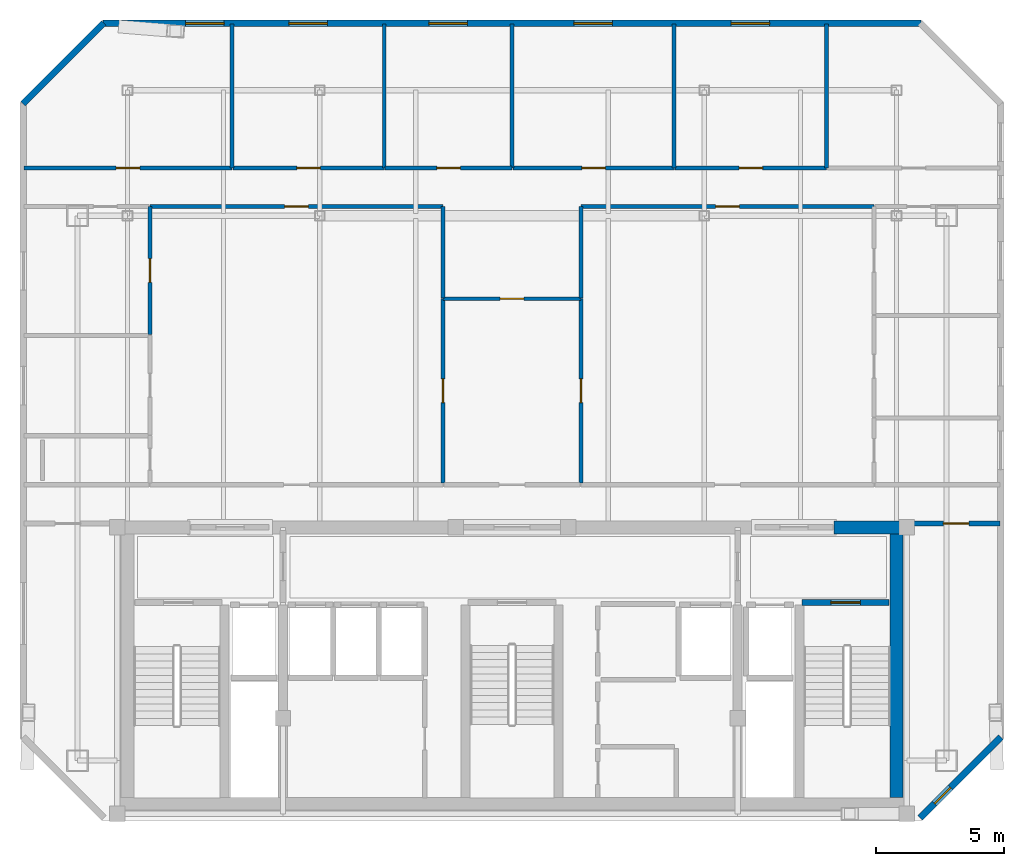
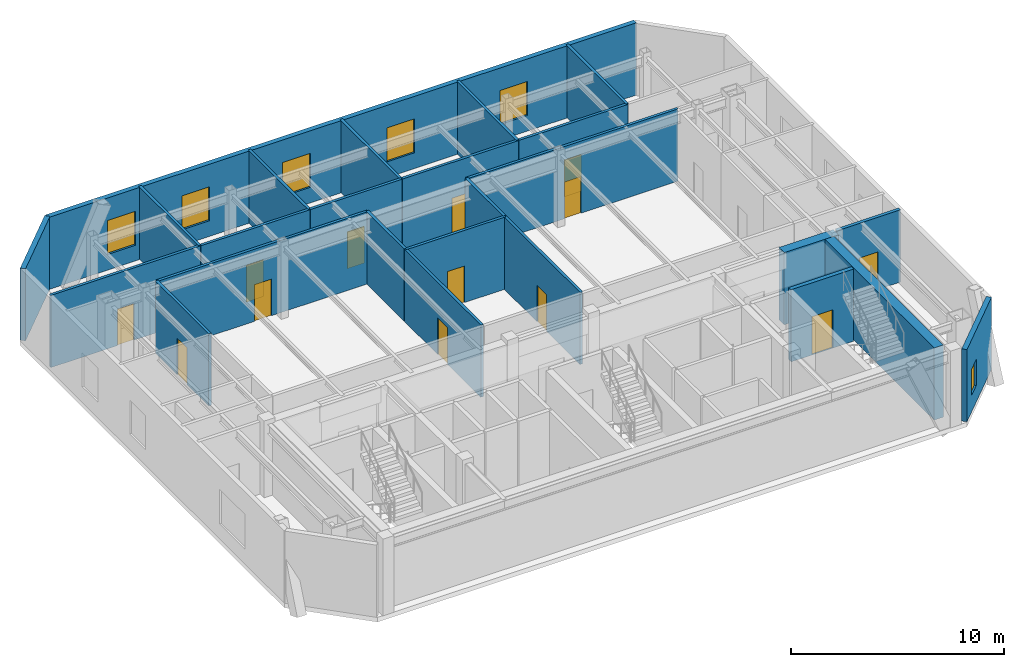
# One storey, part 4 of 6: 25 walls, 13 doors, 6 windows, 19 openings.
"""IFC4 building model written with IfcOpenShell, lengths in metres."""

from ifc_helpers import new_model, si_unit, direction, frame, frame_2d, origin, place, context, subcontext, project, spatial, rectangle, extrude, material, layer, layer_set, type_object, element, fill, save


model = new_model("IFC4")

# Units and contexts
model_context = context("Model", 3, precision=1e-05, world=origin(), true_north=direction((0.0, 1.0)))
body_context = subcontext(model_context, "Body", "Model", "MODEL_VIEW")
ifc_project = project(units=[si_unit("LENGTHUNIT", "METRE"), si_unit("AREAUNIT", "SQUARE_METRE"), si_unit("VOLUMEUNIT", "CUBIC_METRE"), si_unit("PLANEANGLEUNIT", "RADIAN"), si_unit("MASSUNIT", "GRAM", prefix="KILO")], contexts=[model_context])

# Site, building, storey
site_placement = place(None, origin())
site = spatial("IfcSite", under=ifc_project, at=site_placement, CompositionType="ELEMENT")
building_placement = place(site_placement, origin())
building = spatial("IfcBuilding", under=site, at=building_placement, Name="Ventersveld Concourse Tower", CompositionType="ELEMENT")
storey_placement = place(building_placement, frame((0.0, 0.0, 349.050048828125)))
storey = spatial("IfcBuildingStorey", under=building, at=storey_placement, Name="L86", CompositionType="ELEMENT", Elevation=349.050048828125)

# Walls
ifc_material_1 = material(Name="Concrete C50/60", Category="concrete")
ifc_layer_1 = layer(ifc_material_1, 0.5)
ifc_layer_set_1 = layer_set([ifc_layer_1], Name="Concrete C50/60")
wall_type_1 = type_object("IfcWallType", Name="WL-CORE-500", PredefinedType="SHEAR", material=ifc_layer_set_1)
wall_1_placement = place(storey_placement, frame((43.75, 0.919921875, 0.0), z_axis=(0.0, 0.0, 1.0), x_axis=(0.0, 1.0, 0.0)))
element("IfcWall", 1, at=wall_1_placement, inside=storey, type_object=wall_type_1, Name="L86 Rear Core East Shear Wall", PredefinedType="SHEAR", context=body_context, shape_type="SweptSolid", body=[
    extrude(rectangle(XDim=10.530029296875, YDim=0.5, at=frame_2d((5.26513671875, 0.0))), origin(), (0.0, 0.0, 1.0), 4.139892578125),
])
wall_2_placement = place(storey_placement, frame((41.300048828125, 11.449951171875, 0.0), z_axis=(0.0, 0.0, 1.0), x_axis=(1.0, 0.0, 0.0)))
element("IfcWall", 2, at=wall_2_placement, inside=storey, type_object=wall_type_1, Name="L86 Rear Core North Shear Wall NE", PredefinedType="SHEAR", context=body_context, shape_type="SweptSolid", body=[
    extrude(rectangle(XDim=2.949951171875, YDim=0.5, at=frame_2d((1.47509765625, 0.0))), origin(), (0.0, 0.0, 1.0), 4.139892578125),
])

# Wall, opening, door
ifc_material_2 = material(Name="Fire-rated autoclaved aerated masonry blockwork", Category="masonry")
ifc_layer_2 = layer(ifc_material_2, 0.179931640625)
ifc_layer_set_2 = layer_set([ifc_layer_2], Name="Fire-rated autoclaved aerated masonry blockwork")
wall_type_2 = type_object("IfcWallType", Name="WL-CORR-180", PredefinedType="PARTITIONING", material=ifc_layer_set_2)
wall_3_placement = place(storey_placement, frame((44.35498046875, 11.60009765625, 0.0), z_axis=(0.0, 0.0, 1.0), x_axis=(1.0, 0.0, 0.0)))
wall_3 = element("IfcWall", 3, at=wall_3_placement, inside=storey, type_object=wall_type_2, Name="L86 Interior Partition SP-L86-SE-OFF-SP-L86-COR", PredefinedType="PARTITIONING", context=body_context, shape_type="SweptSolid", body=[
    extrude(rectangle(XDim=3.433837890625, YDim=0.179931640625, at=frame_2d((1.716796875, 0.0))), origin(), (0.0, 0.0, 1.0), 4.139892578125),
])
opening_1_placement = place(wall_3_placement, frame((1.216796875, 0.0, 0.0)))
opening_1 = element("IfcOpeningElement", 4, at=opening_1_placement, cuts=wall_3, Name="Opening FD3", PredefinedType="OPENING", context=body_context, shape_type="SweptSolid", body=[
    extrude(rectangle(XDim=1.0, YDim=2.14990234375, at=frame_2d((0.5, 1.074951171875))), frame((0.0, 0.10009765625, 0.0), z_axis=(0.0, -1.0, 0.0), x_axis=(1.0, 0.0, 0.0)), (0.0, 0.0, 1.0), 0.199951171875),
])
ifc_material_3 = material(Name="Solid-core hardwood veneer timber", Category="wood")
door_type_1 = type_object("IfcDoorType", Name="DR-FLAT-100", OperationType="NOTDEFINED", PredefinedType="DOOR", material=ifc_material_3)
door_1_placement = place(opening_1_placement, origin())
door_1 = element("IfcDoor", 5, at=door_1_placement, inside=storey, type_object=door_type_1, Name="L86 Interior Door SP-L86-SE-OFF to SP-L86-COR (D-L86-3841)", OperationType="SINGLE_SWING_LEFT", OverallHeight=2.14990234375, OverallWidth=1.0, PredefinedType="DOOR", context=body_context, shape_type="SweptSolid", body=[
    extrude(rectangle(XDim=1.0, YDim=2.14990234375, at=frame_2d((0.5, 1.074951171875))), frame((0.0, 0.02490234375, 0.0), z_axis=(0.0, -1.0, 0.0), x_axis=(1.0, 0.0, 0.0)), (0.0, 0.0, 1.0), 0.050048828125),
])
fill(opening_1, door_1)

ifc_layer_3 = layer(ifc_material_2, 0.219970703125)
ifc_layer_set_3 = layer_set([ifc_layer_3], Name="Fire-rated autoclaved aerated masonry blockwork")
wall_type_3 = type_object("IfcWallType", Name="WL-HOIST-220", PredefinedType="SOLIDWALL", material=ifc_layer_set_3)
wall_4_placement = place(storey_placement, frame((40.06005859375, 8.52001953125, 0.0), z_axis=(0.0, 0.0, 1.0), x_axis=(1.0, 0.0, 0.0)))
wall_4 = element("IfcWall", 6, at=wall_4_placement, inside=storey, type_object=wall_type_3, Name="L86 Escape Stair ST02 Fire Wall", PredefinedType="SOLIDWALL", context=body_context, shape_type="SweptSolid", body=[
    extrude(rectangle(XDim=3.39990234375, YDim=0.219970703125, at=frame_2d((1.699951171875, 0.0))), origin(), (0.0, 0.0, 1.0), 4.139892578125),
])
opening_2_placement = place(wall_4_placement, frame((1.125, 0.0, 0.0)))
opening_2 = element("IfcOpeningElement", 7, at=opening_2_placement, cuts=wall_4, Name="Opening FD1", PredefinedType="OPENING", context=body_context, shape_type="SweptSolid", body=[
    extrude(rectangle(XDim=1.14990234375, YDim=2.199951171875, at=frame_2d((0.574951171875, 1.10009765625))), frame((0.0, 0.1201171875, 0.0), z_axis=(0.0, -1.0, 0.0), x_axis=(1.0, 0.0, 0.0)), (0.0, 0.0, 1.0), 0.239990234375),
])
ifc_material_4 = material(Name="Galvanised painted steel", Category="steel")
door_type_2 = type_object("IfcDoorType", Name="DR-STAIR-115", OperationType="NOTDEFINED", PredefinedType="DOOR", material=ifc_material_4)
door_2_placement = place(opening_2_placement, origin())
door_2 = element("IfcDoor", 8, at=door_2_placement, inside=storey, type_object=door_type_2, Name="L86 Escape Stair Door ST02 (SD-L86-3829)", OperationType="SINGLE_SWING_RIGHT", OverallHeight=2.199951171875, OverallWidth=1.14990234375, PredefinedType="DOOR", context=body_context, shape_type="SweptSolid", body=[
    extrude(rectangle(XDim=1.14990234375, YDim=2.199951171875, at=frame_2d((0.574951171875, 1.10009765625))), frame((0.0, 0.02490234375, 0.0), z_axis=(0.0, -1.0, 0.0), x_axis=(1.0, 0.0, 0.0)), (0.0, 0.0, 1.0), 0.050048828125),
])
fill(opening_2, door_2)

ifc_material_5 = material(Name="Autoclaved aerated masonry blockwork", Category="masonry")
ifc_layer_4 = layer(ifc_material_5, 0.14990234375)
ifc_layer_set_4 = layer_set([ifc_layer_4], Name="Autoclaved aerated masonry blockwork")
wall_type_4 = type_object("IfcWallType", Name="WL-INT-150", PredefinedType="PARTITIONING", material=ifc_layer_set_4)
wall_5_placement = place(storey_placement, frame((26.06005859375, 13.18505859375, 0.0), z_axis=(0.0, 0.0, 1.0), x_axis=(0.0, 1.0, 0.0)))
wall_5 = element("IfcWall", 9, at=wall_5_placement, inside=storey, type_object=wall_type_4, Name="L86 Interior Partition SP-L86-86N1-WGAL1-SP-L86-86N1-FOY", PredefinedType="PARTITIONING", context=body_context, shape_type="SweptSolid", body=[
    extrude(rectangle(XDim=7.18505859375, YDim=0.14990234375, at=frame_2d((3.592529296875, 0.0))), origin(), (0.0, 0.0, 1.0), 4.139892578125),
])
opening_3_placement = place(wall_5_placement, frame((3.132568359375, 0.0, 0.0)))
opening_3 = element("IfcOpeningElement", 10, at=opening_3_placement, cuts=wall_5, Name="Opening ID1", PredefinedType="OPENING", context=body_context, shape_type="SweptSolid", body=[
    extrude(rectangle(XDim=0.919921875, YDim=2.10009765625, at=frame_2d((0.4599609375, 1.050048828125))), frame((0.0, 0.0849609375, 0.0), z_axis=(0.0, -1.0, 0.0), x_axis=(1.0, 0.0, 0.0)), (0.0, 0.0, 1.0), 0.169921875),
])
door_type_3 = type_object("IfcDoorType", Name="DR-ROOM-092", OperationType="NOTDEFINED", PredefinedType="DOOR", material=ifc_material_3)
door_3_placement = place(opening_3_placement, origin())
door_3 = element("IfcDoor", 11, at=door_3_placement, inside=storey, type_object=door_type_3, Name="L86 Interior Door SP-L86-86N1-WGAL1 to SP-L86-86N1-FOY (D-L86-3845)", OperationType="SINGLE_SWING_LEFT", OverallHeight=2.10009765625, OverallWidth=0.919921875, PredefinedType="DOOR", context=body_context, shape_type="SweptSolid", body=[
    extrude(rectangle(XDim=0.919921875, YDim=2.10009765625, at=frame_2d((0.4599609375, 1.050048828125))), frame((0.0, 0.02490234375, 0.0), z_axis=(0.0, -1.0, 0.0), x_axis=(1.0, 0.0, 0.0)), (0.0, 0.0, 1.0), 0.050048828125),
])
fill(opening_3, door_3)

wall_6_placement = place(storey_placement, frame((14.626708984375, 23.966796875, 0.0), z_axis=(0.0, 0.0, 1.0), x_axis=(1.0, 0.0, 0.0)))
wall_6 = element("IfcWall", 12, at=wall_6_placement, inside=storey, type_object=wall_type_4, Name="L86 Interior Partition SP-L86-86N1-WGAL1-SP-L86-86N1-LIV", PredefinedType="PARTITIONING", context=body_context, shape_type="SweptSolid", body=[
    extrude(rectangle(XDim=11.438232421875, YDim=0.14990234375, at=frame_2d((5.71923828125, 0.0))), origin(), (0.0, 0.0, 1.0), 4.139892578125),
])
opening_4_placement = place(wall_6_placement, frame((5.25927734375, 0.0, 0.0)))
opening_4 = element("IfcOpeningElement", 13, at=opening_4_placement, cuts=wall_6, Name="Opening ID1", PredefinedType="OPENING", context=body_context, shape_type="SweptSolid", body=[
    extrude(rectangle(XDim=0.919921875, YDim=2.10009765625, at=frame_2d((0.4599609375, 1.050048828125))), frame((0.0, 0.0849609375, 0.0), z_axis=(0.0, -1.0, 0.0), x_axis=(1.0, 0.0, 0.0)), (0.0, 0.0, 1.0), 0.169921875),
])
door_4_placement = place(opening_4_placement, origin())
door_4 = element("IfcDoor", 14, at=door_4_placement, inside=storey, type_object=door_type_3, Name="L86 Interior Door SP-L86-86N1-WGAL1 to SP-L86-86N1-LIV (D-L86-3846)", OperationType="SINGLE_SWING_RIGHT", OverallHeight=2.10009765625, OverallWidth=0.919921875, PredefinedType="DOOR", context=body_context, shape_type="SweptSolid", body=[
    extrude(rectangle(XDim=0.919921875, YDim=2.10009765625, at=frame_2d((0.4599609375, 1.050048828125))), frame((0.0, 0.02490234375, 0.0), z_axis=(0.0, -1.0, 0.0), x_axis=(1.0, 0.0, 0.0)), (0.0, 0.0, 1.0), 0.050048828125),
])
fill(opening_4, door_4)

# Wall
wall_7_placement = place(storey_placement, frame((26.06005859375, 20.39990234375, 0.0), z_axis=(0.0, 0.0, 1.0), x_axis=(0.0, 1.0, 0.0)))
element("IfcWall", 15, at=wall_7_placement, inside=storey, type_object=wall_type_4, Name="L86 Interior Partition SP-L86-86N1-WGAL1-SP-L86-86N1-LIV", PredefinedType="PARTITIONING", context=body_context, shape_type="SweptSolid", body=[
    extrude(rectangle(XDim=3.572021484375, YDim=0.14990234375, at=frame_2d((1.7861328125, 0.0))), origin(), (0.0, 0.0, 1.0), 4.139892578125),
])

# Wall, opening, door
wall_8_placement = place(storey_placement, frame((14.631591796875, 18.9619140625, 0.0), z_axis=(0.0, 0.0, 1.0), x_axis=(0.0, 1.0, 0.0)))
wall_8 = element("IfcWall", 16, at=wall_8_placement, inside=storey, type_object=wall_type_4, Name="L86 Interior Partition SP-L86-86N1-WGAL1-SP-L86-86N1-MEDL2", PredefinedType="PARTITIONING", context=body_context, shape_type="SweptSolid", body=[
    extrude(rectangle(XDim=5.010009765625, YDim=0.14990234375, at=frame_2d((2.5048828125, 0.0))), origin(), (0.0, 0.0, 1.0), 4.139892578125),
])
opening_5_placement = place(wall_8_placement, frame((2.044921875, 0.0, 0.0)))
opening_5 = element("IfcOpeningElement", 17, at=opening_5_placement, cuts=wall_8, Name="Opening ID1", PredefinedType="OPENING", context=body_context, shape_type="SweptSolid", body=[
    extrude(rectangle(XDim=0.919921875, YDim=2.10009765625, at=frame_2d((0.4599609375, 1.050048828125))), frame((0.0, 0.0849609375, 0.0), z_axis=(0.0, -1.0, 0.0), x_axis=(1.0, 0.0, 0.0)), (0.0, 0.0, 1.0), 0.169921875),
])
door_5_placement = place(opening_5_placement, origin())
door_5 = element("IfcDoor", 18, at=door_5_placement, inside=storey, type_object=door_type_3, Name="L86 Interior Door SP-L86-86N1-WGAL1 to SP-L86-86N1-MEDL2 (D-L86-3849)", OperationType="SINGLE_SWING_LEFT", OverallHeight=2.10009765625, OverallWidth=0.919921875, PredefinedType="DOOR", context=body_context, shape_type="SweptSolid", body=[
    extrude(rectangle(XDim=0.919921875, YDim=2.10009765625, at=frame_2d((0.4599609375, 1.050048828125))), frame((0.0, 0.02490234375, 0.0), z_axis=(0.0, -1.0, 0.0), x_axis=(1.0, 0.0, 0.0)), (0.0, 0.0, 1.0), 0.050048828125),
])
fill(opening_5, door_5)

wall_9_placement = place(storey_placement, frame((31.43994140625, 13.18505859375, 0.0), z_axis=(0.0, 0.0, 1.0), x_axis=(0.0, 1.0, 0.0)))
wall_9 = element("IfcWall", 19, at=wall_9_placement, inside=storey, type_object=wall_type_4, Name="L86 Interior Partition SP-L86-86N1-EGAL1-SP-L86-86N1-FOY", PredefinedType="PARTITIONING", context=body_context, shape_type="SweptSolid", body=[
    extrude(rectangle(XDim=7.18505859375, YDim=0.14990234375, at=frame_2d((3.592529296875, 0.0))), origin(), (0.0, 0.0, 1.0), 4.139892578125),
])
opening_6_placement = place(wall_9_placement, frame((3.132568359375, 0.0, 0.0)))
opening_6 = element("IfcOpeningElement", 20, at=opening_6_placement, cuts=wall_9, Name="Opening ID1", PredefinedType="OPENING", context=body_context, shape_type="SweptSolid", body=[
    extrude(rectangle(XDim=0.919921875, YDim=2.10009765625, at=frame_2d((0.4599609375, 1.050048828125))), frame((0.0, 0.0849609375, 0.0), z_axis=(0.0, -1.0, 0.0), x_axis=(1.0, 0.0, 0.0)), (0.0, 0.0, 1.0), 0.169921875),
])
door_6_placement = place(opening_6_placement, origin())
door_6 = element("IfcDoor", 21, at=door_6_placement, inside=storey, type_object=door_type_3, Name="L86 Interior Door SP-L86-86N1-EGAL1 to SP-L86-86N1-FOY (D-L86-3850)", OperationType="SINGLE_SWING_RIGHT", OverallHeight=2.10009765625, OverallWidth=0.919921875, PredefinedType="DOOR", context=body_context, shape_type="SweptSolid", body=[
    extrude(rectangle(XDim=0.919921875, YDim=2.10009765625, at=frame_2d((0.4599609375, 1.050048828125))), frame((0.0, 0.02490234375, 0.0), z_axis=(0.0, -1.0, 0.0), x_axis=(1.0, 0.0, 0.0)), (0.0, 0.0, 1.0), 0.050048828125),
])
fill(opening_6, door_6)

wall_10_placement = place(storey_placement, frame((31.43505859375, 23.966796875, 0.0), z_axis=(0.0, 0.0, 1.0), x_axis=(1.0, 0.0, 0.0)))
wall_10 = element("IfcWall", 22, at=wall_10_placement, inside=storey, type_object=wall_type_4, Name="L86 Interior Partition SP-L86-86N1-EGAL1-SP-L86-86N1-LIV", PredefinedType="PARTITIONING", context=body_context, shape_type="SweptSolid", body=[
    extrude(rectangle(XDim=11.438232421875, YDim=0.14990234375, at=frame_2d((5.71923828125, 0.0))), origin(), (0.0, 0.0, 1.0), 4.139892578125),
])
opening_7_placement = place(wall_10_placement, frame((5.25927734375, 0.0, 0.0)))
opening_7 = element("IfcOpeningElement", 23, at=opening_7_placement, cuts=wall_10, Name="Opening ID1", PredefinedType="OPENING", context=body_context, shape_type="SweptSolid", body=[
    extrude(rectangle(XDim=0.919921875, YDim=2.10009765625, at=frame_2d((0.4599609375, 1.050048828125))), frame((0.0, 0.0849609375, 0.0), z_axis=(0.0, -1.0, 0.0), x_axis=(1.0, 0.0, 0.0)), (0.0, 0.0, 1.0), 0.169921875),
])
door_7_placement = place(opening_7_placement, origin())
door_7 = element("IfcDoor", 24, at=door_7_placement, inside=storey, type_object=door_type_3, Name="L86 Interior Door SP-L86-86N1-EGAL1 to SP-L86-86N1-LIV (D-L86-3851)", OperationType="SINGLE_SWING_LEFT", OverallHeight=2.10009765625, OverallWidth=0.919921875, PredefinedType="DOOR", context=body_context, shape_type="SweptSolid", body=[
    extrude(rectangle(XDim=0.919921875, YDim=2.10009765625, at=frame_2d((0.4599609375, 1.050048828125))), frame((0.0, 0.02490234375, 0.0), z_axis=(0.0, -1.0, 0.0), x_axis=(1.0, 0.0, 0.0)), (0.0, 0.0, 1.0), 0.050048828125),
])
fill(opening_7, door_7)

# Wall
wall_11_placement = place(storey_placement, frame((31.43994140625, 20.39990234375, 0.0), z_axis=(0.0, 0.0, 1.0), x_axis=(0.0, 1.0, 0.0)))
element("IfcWall", 25, at=wall_11_placement, inside=storey, type_object=wall_type_4, Name="L86 Interior Partition SP-L86-86N1-EGAL1-SP-L86-86N1-LIV", PredefinedType="PARTITIONING", context=body_context, shape_type="SweptSolid", body=[
    extrude(rectangle(XDim=3.572021484375, YDim=0.14990234375, at=frame_2d((1.7861328125, 0.0))), origin(), (0.0, 0.0, 1.0), 4.139892578125),
])

# Wall, opening, door
wall_12_placement = place(storey_placement, frame((26.054931640625, 20.364990234375, 0.0), z_axis=(0.0, 0.0, 1.0), x_axis=(1.0, 0.0, 0.0)))
wall_12 = element("IfcWall", 26, at=wall_12_placement, inside=storey, type_object=wall_type_4, Name="L86 Interior Partition SP-L86-86N1-FOY-SP-L86-86N1-LIV", PredefinedType="PARTITIONING", context=body_context, shape_type="SweptSolid", body=[
    extrude(rectangle(XDim=5.39013671875, YDim=0.14990234375, at=frame_2d((2.695068359375, 0.0))), origin(), (0.0, 0.0, 1.0), 4.139892578125),
])
opening_8_placement = place(wall_12_placement, frame((2.235107421875, 0.0, 0.0)))
opening_8 = element("IfcOpeningElement", 27, at=opening_8_placement, cuts=wall_12, Name="Opening ID1", PredefinedType="OPENING", context=body_context, shape_type="SweptSolid", body=[
    extrude(rectangle(XDim=0.919921875, YDim=2.10009765625, at=frame_2d((0.4599609375, 1.050048828125))), frame((0.0, 0.0849609375, 0.0), z_axis=(0.0, -1.0, 0.0), x_axis=(1.0, 0.0, 0.0)), (0.0, 0.0, 1.0), 0.169921875),
])
door_8_placement = place(opening_8_placement, origin())
door_8 = element("IfcDoor", 28, at=door_8_placement, inside=storey, type_object=door_type_3, Name="L86 Interior Door SP-L86-86N1-FOY to SP-L86-86N1-LIV (D-L86-3855)", OperationType="SINGLE_SWING_LEFT", OverallHeight=2.10009765625, OverallWidth=0.919921875, PredefinedType="DOOR", context=body_context, shape_type="SweptSolid", body=[
    extrude(rectangle(XDim=0.919921875, YDim=2.10009765625, at=frame_2d((0.4599609375, 1.050048828125))), frame((0.0, 0.02490234375, 0.0), z_axis=(0.0, -1.0, 0.0), x_axis=(1.0, 0.0, 0.0)), (0.0, 0.0, 1.0), 0.050048828125),
])
fill(opening_8, door_8)

wall_13_placement = place(storey_placement, frame((9.711181640625, 25.466796875, 0.0), z_axis=(0.0, 0.0, 1.0), x_axis=(1.0, 0.0, 0.0)))
wall_13 = element("IfcWall", 29, at=wall_13_placement, inside=storey, type_object=wall_type_4, Name="L86 Interior Partition SP-L86-86N1-LIV-SP-L86-86N1-BR1", PredefinedType="PARTITIONING", context=body_context, shape_type="SweptSolid", body=[
    extrude(rectangle(XDim=8.122314453125, YDim=0.14990234375, at=frame_2d((4.06103515625, 0.0))), origin(), (0.0, 0.0, 1.0), 4.139892578125),
])
opening_9_placement = place(wall_13_placement, frame((3.601318359375, 0.0, 0.0)))
opening_9 = element("IfcOpeningElement", 30, at=opening_9_placement, cuts=wall_13, Name="Opening ID1", PredefinedType="OPENING", context=body_context, shape_type="SweptSolid", body=[
    extrude(rectangle(XDim=0.919921875, YDim=2.10009765625, at=frame_2d((0.4599609375, 1.050048828125))), frame((0.0, 0.0849609375, 0.0), z_axis=(0.0, -1.0, 0.0), x_axis=(1.0, 0.0, 0.0)), (0.0, 0.0, 1.0), 0.169921875),
])
door_9_placement = place(opening_9_placement, origin())
door_9 = element("IfcDoor", 31, at=door_9_placement, inside=storey, type_object=door_type_3, Name="L86 Interior Door SP-L86-86N1-LIV to SP-L86-86N1-BR1 (D-L86-3858)", OperationType="SINGLE_SWING_RIGHT", OverallHeight=2.10009765625, OverallWidth=0.919921875, PredefinedType="DOOR", context=body_context, shape_type="SweptSolid", body=[
    extrude(rectangle(XDim=0.919921875, YDim=2.10009765625, at=frame_2d((0.4599609375, 1.050048828125))), frame((0.0, 0.02490234375, 0.0), z_axis=(0.0, -1.0, 0.0), x_axis=(1.0, 0.0, 0.0)), (0.0, 0.0, 1.0), 0.050048828125),
])
fill(opening_9, door_9)

wall_14_placement = place(storey_placement, frame((17.863525390625, 25.466796875, 0.0), z_axis=(0.0, 0.0, 1.0), x_axis=(1.0, 0.0, 0.0)))
wall_14 = element("IfcWall", 32, at=wall_14_placement, inside=storey, type_object=wall_type_4, Name="L86 Interior Partition SP-L86-86N1-LIV-SP-L86-86N1-BR2", PredefinedType="PARTITIONING", context=body_context, shape_type="SweptSolid", body=[
    extrude(rectangle(XDim=5.910888671875, YDim=0.14990234375, at=frame_2d((2.95556640625, 0.0))), origin(), (0.0, 0.0, 1.0), 4.139892578125),
])
opening_10_placement = place(wall_14_placement, frame((2.495361328125, 0.0, 0.0)))
opening_10 = element("IfcOpeningElement", 33, at=opening_10_placement, cuts=wall_14, Name="Opening ID1", PredefinedType="OPENING", context=body_context, shape_type="SweptSolid", body=[
    extrude(rectangle(XDim=0.919921875, YDim=2.10009765625, at=frame_2d((0.4599609375, 1.050048828125))), frame((0.0, 0.0849609375, 0.0), z_axis=(0.0, -1.0, 0.0), x_axis=(1.0, 0.0, 0.0)), (0.0, 0.0, 1.0), 0.169921875),
])
door_10_placement = place(opening_10_placement, origin())
door_10 = element("IfcDoor", 34, at=door_10_placement, inside=storey, type_object=door_type_3, Name="L86 Interior Door SP-L86-86N1-LIV to SP-L86-86N1-BR2 (D-L86-3859)", OperationType="SINGLE_SWING_LEFT", OverallHeight=2.10009765625, OverallWidth=0.919921875, PredefinedType="DOOR", context=body_context, shape_type="SweptSolid", body=[
    extrude(rectangle(XDim=0.919921875, YDim=2.10009765625, at=frame_2d((0.4599609375, 1.050048828125))), frame((0.0, 0.02490234375, 0.0), z_axis=(0.0, -1.0, 0.0), x_axis=(1.0, 0.0, 0.0)), (0.0, 0.0, 1.0), 0.050048828125),
])
fill(opening_10, door_10)

wall_15_placement = place(storey_placement, frame((23.80419921875, 25.466796875, 0.0), z_axis=(0.0, 0.0, 1.0), x_axis=(1.0, 0.0, 0.0)))
wall_15 = element("IfcWall", 35, at=wall_15_placement, inside=storey, type_object=wall_type_4, Name="L86 Interior Partition SP-L86-86N1-LIV-SP-L86-86N1-BR3", PredefinedType="PARTITIONING", context=body_context, shape_type="SweptSolid", body=[
    extrude(rectangle(XDim=4.95068359375, YDim=0.14990234375, at=frame_2d((2.475341796875, 0.0))), origin(), (0.0, 0.0, 1.0), 4.139892578125),
])
opening_11_placement = place(wall_15_placement, frame((2.015380859375, 0.0, 0.0)))
opening_11 = element("IfcOpeningElement", 36, at=opening_11_placement, cuts=wall_15, Name="Opening ID1", PredefinedType="OPENING", context=body_context, shape_type="SweptSolid", body=[
    extrude(rectangle(XDim=0.919921875, YDim=2.10009765625, at=frame_2d((0.4599609375, 1.050048828125))), frame((0.0, 0.0849609375, 0.0), z_axis=(0.0, -1.0, 0.0), x_axis=(1.0, 0.0, 0.0)), (0.0, 0.0, 1.0), 0.169921875),
])
door_11_placement = place(opening_11_placement, origin())
door_11 = element("IfcDoor", 37, at=door_11_placement, inside=storey, type_object=door_type_3, Name="L86 Interior Door SP-L86-86N1-LIV to SP-L86-86N1-BR3 (D-L86-3860)", OperationType="SINGLE_SWING_RIGHT", OverallHeight=2.10009765625, OverallWidth=0.919921875, PredefinedType="DOOR", context=body_context, shape_type="SweptSolid", body=[
    extrude(rectangle(XDim=0.919921875, YDim=2.10009765625, at=frame_2d((0.4599609375, 1.050048828125))), frame((0.0, 0.02490234375, 0.0), z_axis=(0.0, -1.0, 0.0), x_axis=(1.0, 0.0, 0.0)), (0.0, 0.0, 1.0), 0.050048828125),
])
fill(opening_11, door_11)

wall_16_placement = place(storey_placement, frame((28.784912109375, 25.466796875, 0.0), z_axis=(0.0, 0.0, 1.0), x_axis=(1.0, 0.0, 0.0)))
wall_16 = element("IfcWall", 38, at=wall_16_placement, inside=storey, type_object=wall_type_4, Name="L86 Interior Partition SP-L86-86N1-LIV-SP-L86-86N1-BR4", PredefinedType="PARTITIONING", context=body_context, shape_type="SweptSolid", body=[
    extrude(rectangle(XDim=6.294921875, YDim=0.14990234375, at=frame_2d((3.1474609375, 0.0))), origin(), (0.0, 0.0, 1.0), 4.139892578125),
])
opening_12_placement = place(wall_16_placement, frame((2.6875, 0.0, 0.0)))
opening_12 = element("IfcOpeningElement", 39, at=opening_12_placement, cuts=wall_16, Name="Opening ID1", PredefinedType="OPENING", context=body_context, shape_type="SweptSolid", body=[
    extrude(rectangle(XDim=0.919921875, YDim=2.10009765625, at=frame_2d((0.4599609375, 1.050048828125))), frame((0.0, 0.0849609375, 0.0), z_axis=(0.0, -1.0, 0.0), x_axis=(1.0, 0.0, 0.0)), (0.0, 0.0, 1.0), 0.169921875),
])
door_12_placement = place(opening_12_placement, origin())
door_12 = element("IfcDoor", 40, at=door_12_placement, inside=storey, type_object=door_type_3, Name="L86 Interior Door SP-L86-86N1-LIV to SP-L86-86N1-BR4 (D-L86-3861)", OperationType="SINGLE_SWING_LEFT", OverallHeight=2.10009765625, OverallWidth=0.919921875, PredefinedType="DOOR", context=body_context, shape_type="SweptSolid", body=[
    extrude(rectangle(XDim=0.919921875, YDim=2.10009765625, at=frame_2d((0.4599609375, 1.050048828125))), frame((0.0, 0.02490234375, 0.0), z_axis=(0.0, -1.0, 0.0), x_axis=(1.0, 0.0, 0.0)), (0.0, 0.0, 1.0), 0.050048828125),
])
fill(opening_12, door_12)

wall_17_placement = place(storey_placement, frame((35.10986328125, 25.466796875, 0.0), z_axis=(0.0, 0.0, 1.0), x_axis=(1.0, 0.0, 0.0)))
wall_17 = element("IfcWall", 41, at=wall_17_placement, inside=storey, type_object=wall_type_4, Name="L86 Interior Partition SP-L86-86N1-LIV-SP-L86-86N1-BR5", PredefinedType="PARTITIONING", context=body_context, shape_type="SweptSolid", body=[
    extrude(rectangle(XDim=5.91064453125, YDim=0.14990234375, at=frame_2d((2.955322265625, 0.0))), origin(), (0.0, 0.0, 1.0), 4.139892578125),
])
opening_13_placement = place(wall_17_placement, frame((2.495361328125, 0.0, 0.0)))
opening_13 = element("IfcOpeningElement", 42, at=opening_13_placement, cuts=wall_17, Name="Opening ID1", PredefinedType="OPENING", context=body_context, shape_type="SweptSolid", body=[
    extrude(rectangle(XDim=0.919921875, YDim=2.10009765625, at=frame_2d((0.4599609375, 1.050048828125))), frame((0.0, 0.0849609375, 0.0), z_axis=(0.0, -1.0, 0.0), x_axis=(1.0, 0.0, 0.0)), (0.0, 0.0, 1.0), 0.169921875),
])
door_13_placement = place(opening_13_placement, origin())
door_13 = element("IfcDoor", 43, at=door_13_placement, inside=storey, type_object=door_type_3, Name="L86 Interior Door SP-L86-86N1-LIV to SP-L86-86N1-BR5 (D-L86-3862)", OperationType="SINGLE_SWING_RIGHT", OverallHeight=2.10009765625, OverallWidth=0.919921875, PredefinedType="DOOR", context=body_context, shape_type="SweptSolid", body=[
    extrude(rectangle(XDim=0.919921875, YDim=2.10009765625, at=frame_2d((0.4599609375, 1.050048828125))), frame((0.0, 0.02490234375, 0.0), z_axis=(0.0, -1.0, 0.0), x_axis=(1.0, 0.0, 0.0)), (0.0, 0.0, 1.0), 0.050048828125),
])
fill(opening_13, door_13)

# Walls
for number, where, z_axis, x_axis, name in (
    (44, (17.82861328125, 25.4619140625, 0.0), (0.0, 0.0, 1.0), (0.0, 1.0, 0.0), "L86 Interior Partition SP-L86-86N1-BR1-SP-L86-86N1-BR2"),
    (45, (23.769287109375, 25.4619140625, 0.0), (0.0, 0.0, 1.0), (0.0, 1.0, 0.0), "L86 Interior Partition SP-L86-86N1-BR2-SP-L86-86N1-BR3"),
    (46, (28.75, 25.4619140625, 0.0), (0.0, 0.0, 1.0), (0.0, 1.0, 0.0), "L86 Interior Partition SP-L86-86N1-BR3-SP-L86-86N1-BR4"),
    (47, (35.07470703125, 25.4619140625, 0.0), (0.0, 0.0, 1.0), (0.0, 1.0, 0.0), "L86 Interior Partition SP-L86-86N1-BR4-SP-L86-86N1-BR5"),
    (48, (41.015380859375, 25.4619140625, 0.0), (0.0, 0.0, 1.0), (0.0, 1.0, 0.0), "L86 Interior Partition SP-L86-86N1-BR5-SP-L86-86N1-BR6"),
):
    element("IfcWall", number, at=place(storey_placement, frame(where, z_axis=z_axis, x_axis=x_axis)), inside=storey, type_object=wall_type_4, Name=name, PredefinedType="PARTITIONING", context=body_context, shape_type="SweptSolid", body=[
        extrude(rectangle(XDim=5.62548828125, YDim=0.14990234375, at=frame_2d((2.812744140625, 0.0))), origin(), (0.0, 0.0, 1.0), 4.139892578125),
    ])

# Wall, opening, window
ifc_material_6 = material(Name="Precast concrete C45/55", Category="concrete")
ifc_layer_5 = layer(ifc_material_6, 0.260009765625)
ifc_layer_set_5 = layer_set([ifc_layer_5], Name="Precast concrete C45/55")
wall_type_5 = type_object("IfcWallType", Name="WL-PREC-260", PredefinedType="SOLIDWALL", material=ifc_layer_set_5)
wall_18_placement = place(storey_placement, frame((44.6748046875, 0.1201171875, 0.0), z_axis=(0.0, 0.0, 1.0), x_axis=(0.707079321262, 0.707134240044, 0.0)))
wall_18 = element("IfcWall", 49, at=wall_18_placement, inside=storey, type_object=wall_type_5, Name="L86 Highveld Precast Facade Wall E02", PredefinedType="SOLIDWALL", context=body_context, shape_type="SweptSolid", body=[
    extrude(rectangle(XDim=4.445556640625, YDim=0.260009765625, at=frame_2d((2.22265625, 0.0))), origin(), (0.0, 0.0, 1.0), 4.139892578125),
])
opening_14_placement = place(wall_18_placement, frame((0.780029296875, 0.0, 0.949951171875)))
opening_14 = element("IfcOpeningElement", 50, at=opening_14_placement, cuts=wall_18, Name="Opening W4", PredefinedType="OPENING", context=body_context, shape_type="SweptSolid", body=[
    extrude(rectangle(XDim=0.89990234375, YDim=1.5, at=frame_2d((0.449951171875, 0.75))), frame((0.0, 0.14013671875, 0.0), z_axis=(0.0, -1.0, 0.0), x_axis=(1.0, 0.0, 0.0)), (0.0, 0.0, 1.0), 0.280029296875),
])
ifc_material_7 = material(Name="Tempered acoustic Low-E IGU", Category="glass")
window_type_1 = type_object("IfcWindowType", Name="WIN-090x150", PartitioningType="SINGLE_PANEL", PredefinedType="WINDOW", material=ifc_material_7)
window_1_placement = place(opening_14_placement, origin())
window_1 = element("IfcWindow", 51, at=window_1_placement, inside=storey, type_object=window_type_1, Name="L86 Punched Low-E Window W-1202", OverallHeight=1.5, OverallWidth=0.89990234375, PartitioningType="SINGLE_PANEL", PredefinedType="WINDOW", context=body_context, shape_type="SweptSolid", body=[
    extrude(rectangle(XDim=0.89990234375, YDim=1.5, at=frame_2d((0.449951171875, 0.75))), frame((0.0, 0.030029296875, 0.0), z_axis=(0.0, -1.0, 0.0), x_axis=(1.0, 0.0, 0.0)), (0.0, 0.0, 1.0), 0.06005859375),
])
fill(opening_14, window_1)

# Wall, openings, windows
wall_19_placement = place(storey_placement, frame((44.6982421875, 31.10693359375, 0.0), z_axis=(0.0, 0.0, 1.0), x_axis=(-1.0, 0.0, 0.0)))
wall_19 = element("IfcWall", 52, at=wall_19_placement, inside=storey, type_object=wall_type_5, Name="L86 Highveld Precast Facade Wall E05", PredefinedType="SOLIDWALL", context=body_context, shape_type="SweptSolid", body=[
    extrude(rectangle(XDim=31.896484375, YDim=0.260009765625, at=frame_2d((15.9482421875, 0.0))), origin(), (0.0, 0.0, 1.0), 4.139892578125),
])
opening_15_placement = place(wall_19_placement, frame((27.17919921875, 0.0, 0.89990234375)))
opening_15 = element("IfcOpeningElement", 53, at=opening_15_placement, cuts=wall_19, Name="Opening W1", PredefinedType="OPENING", context=body_context, shape_type="SweptSolid", body=[
    extrude(rectangle(XDim=1.5, YDim=1.949951171875, at=frame_2d((0.75, 0.97509765625))), frame((0.0, 0.14013671875, 0.0), z_axis=(0.0, -1.0, 0.0), x_axis=(1.0, 0.0, 0.0)), (0.0, 0.0, 1.0), 0.280029296875),
])
opening_16_placement = place(wall_19_placement, frame((23.1494140625, 0.0, 0.89990234375)))
opening_16 = element("IfcOpeningElement", 54, at=opening_16_placement, cuts=wall_19, Name="Opening W1", PredefinedType="OPENING", context=body_context, shape_type="SweptSolid", body=[
    extrude(rectangle(XDim=1.5, YDim=1.949951171875, at=frame_2d((0.75, 0.97509765625))), frame((0.0, 0.14013671875, 0.0), z_axis=(0.0, -1.0, 0.0), x_axis=(1.0, 0.0, 0.0)), (0.0, 0.0, 1.0), 0.280029296875),
])
opening_17_placement = place(wall_19_placement, frame((17.688720703125, 0.0, 0.89990234375)))
opening_17 = element("IfcOpeningElement", 55, at=opening_17_placement, cuts=wall_19, Name="Opening W1", PredefinedType="OPENING", context=body_context, shape_type="SweptSolid", body=[
    extrude(rectangle(XDim=1.5, YDim=1.949951171875, at=frame_2d((0.75, 0.97509765625))), frame((0.0, 0.14013671875, 0.0), z_axis=(0.0, -1.0, 0.0), x_axis=(1.0, 0.0, 0.0)), (0.0, 0.0, 1.0), 0.280029296875),
])
opening_18_placement = place(wall_19_placement, frame((12.035888671875, 0.0, 0.89990234375)))
opening_18 = element("IfcOpeningElement", 56, at=opening_18_placement, cuts=wall_19, Name="Opening W1", PredefinedType="OPENING", context=body_context, shape_type="SweptSolid", body=[
    extrude(rectangle(XDim=1.5, YDim=1.949951171875, at=frame_2d((0.75, 0.97509765625))), frame((0.0, 0.14013671875, 0.0), z_axis=(0.0, -1.0, 0.0), x_axis=(1.0, 0.0, 0.0)), (0.0, 0.0, 1.0), 0.280029296875),
])
opening_19_placement = place(wall_19_placement, frame((5.9033203125, 0.0, 0.89990234375)))
opening_19 = element("IfcOpeningElement", 57, at=opening_19_placement, cuts=wall_19, Name="Opening W1", PredefinedType="OPENING", context=body_context, shape_type="SweptSolid", body=[
    extrude(rectangle(XDim=1.5, YDim=1.949951171875, at=frame_2d((0.75, 0.97509765625))), frame((0.0, 0.14013671875, 0.0), z_axis=(0.0, -1.0, 0.0), x_axis=(1.0, 0.0, 0.0)), (0.0, 0.0, 1.0), 0.280029296875),
])
window_type_2 = type_object("IfcWindowType", Name="WIN-150x210", PartitioningType="SINGLE_PANEL", PredefinedType="WINDOW", material=ifc_material_7)
window_2_placement = place(opening_15_placement, origin())
window_2 = element("IfcWindow", 58, at=window_2_placement, inside=storey, type_object=window_type_2, Name="L86 Punched Low-E Window W-1209", OverallHeight=1.949951171875, OverallWidth=1.5, PartitioningType="SINGLE_PANEL", PredefinedType="WINDOW", context=body_context, shape_type="SweptSolid", body=[
    extrude(rectangle(XDim=1.5, YDim=1.949951171875, at=frame_2d((0.75, 0.97509765625))), frame((0.0, 0.030029296875, 0.0), z_axis=(0.0, -1.0, 0.0), x_axis=(1.0, 0.0, 0.0)), (0.0, 0.0, 1.0), 0.06005859375),
])
fill(opening_15, window_2)
window_3_placement = place(opening_16_placement, origin())
window_3 = element("IfcWindow", 59, at=window_3_placement, inside=storey, type_object=window_type_2, Name="L86 Punched Low-E Window W-1210", OverallHeight=1.949951171875, OverallWidth=1.5, PartitioningType="SINGLE_PANEL", PredefinedType="WINDOW", context=body_context, shape_type="SweptSolid", body=[
    extrude(rectangle(XDim=1.5, YDim=1.949951171875, at=frame_2d((0.75, 0.97509765625))), frame((0.0, 0.030029296875, 0.0), z_axis=(0.0, -1.0, 0.0), x_axis=(1.0, 0.0, 0.0)), (0.0, 0.0, 1.0), 0.06005859375),
])
fill(opening_16, window_3)
window_4_placement = place(opening_17_placement, origin())
window_4 = element("IfcWindow", 60, at=window_4_placement, inside=storey, type_object=window_type_2, Name="L86 Punched Low-E Window W-1211", OverallHeight=1.949951171875, OverallWidth=1.5, PartitioningType="SINGLE_PANEL", PredefinedType="WINDOW", context=body_context, shape_type="SweptSolid", body=[
    extrude(rectangle(XDim=1.5, YDim=1.949951171875, at=frame_2d((0.75, 0.97509765625))), frame((0.0, 0.030029296875, 0.0), z_axis=(0.0, -1.0, 0.0), x_axis=(1.0, 0.0, 0.0)), (0.0, 0.0, 1.0), 0.06005859375),
])
fill(opening_17, window_4)
window_5_placement = place(opening_18_placement, origin())
window_5 = element("IfcWindow", 61, at=window_5_placement, inside=storey, type_object=window_type_2, Name="L86 Punched Low-E Window W-1212", OverallHeight=1.949951171875, OverallWidth=1.5, PartitioningType="SINGLE_PANEL", PredefinedType="WINDOW", context=body_context, shape_type="SweptSolid", body=[
    extrude(rectangle(XDim=1.5, YDim=1.949951171875, at=frame_2d((0.75, 0.97509765625))), frame((0.0, 0.030029296875, 0.0), z_axis=(0.0, -1.0, 0.0), x_axis=(1.0, 0.0, 0.0)), (0.0, 0.0, 1.0), 0.06005859375),
])
fill(opening_18, window_5)
window_6_placement = place(opening_19_placement, origin())
window_6 = element("IfcWindow", 62, at=window_6_placement, inside=storey, type_object=window_type_2, Name="L86 Punched Low-E Window W-1213", OverallHeight=1.949951171875, OverallWidth=1.5, PartitioningType="SINGLE_PANEL", PredefinedType="WINDOW", context=body_context, shape_type="SweptSolid", body=[
    extrude(rectangle(XDim=1.5, YDim=1.949951171875, at=frame_2d((0.75, 0.97509765625))), frame((0.0, 0.030029296875, 0.0), z_axis=(0.0, -1.0, 0.0), x_axis=(1.0, 0.0, 0.0)), (0.0, 0.0, 1.0), 0.06005859375),
])
fill(opening_19, window_6)

# Wall
wall_20_placement = place(storey_placement, frame((12.8251953125, 31.11669921875, 0.0), z_axis=(0.0, 0.0, 1.0), x_axis=(-0.707106781187, -0.707106781187, 0.0)))
element("IfcWall", 63, at=wall_20_placement, inside=storey, type_object=wall_type_5, Name="L86 Highveld Precast Facade Wall E06", PredefinedType="SOLIDWALL", context=body_context, shape_type="SweptSolid", body=[
    extrude(rectangle(XDim=4.4453125, YDim=0.260009765625, at=frame_2d((2.22265625, 0.0))), origin(), (0.0, 0.0, 1.0), 4.139892578125),
])

save(model, "model.ifc")
